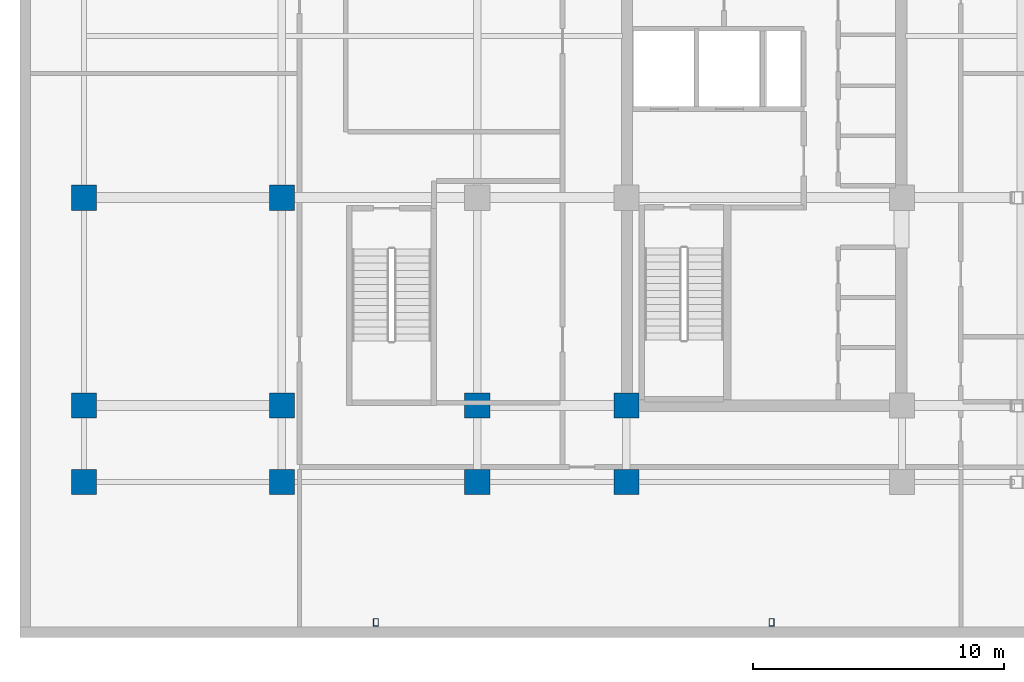
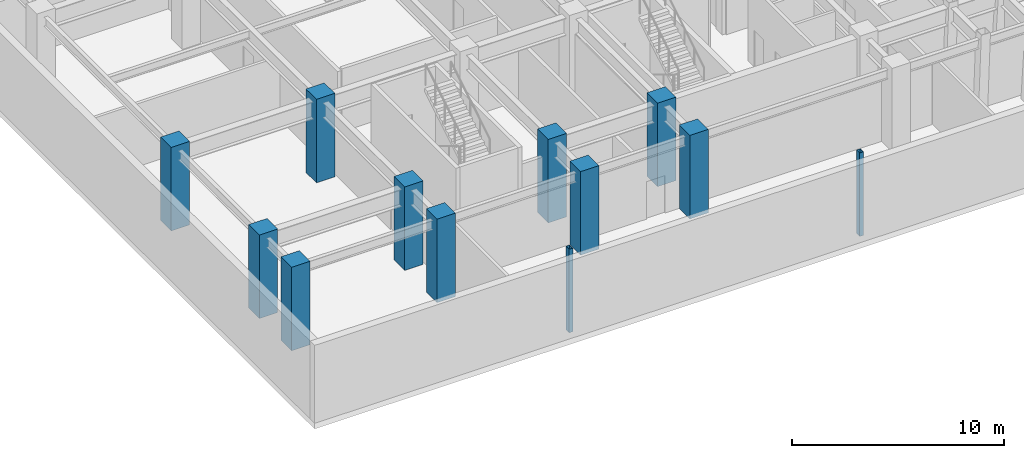
# One storey, part 1 of 9: 12 columns.
"""IFC4 building model written with IfcOpenShell, lengths in metres."""

from ifc_helpers import new_model, si_unit, direction, frame, origin, origin_2d, place, context, subcontext, project, spatial, rectangle, hollow_rectangle, extrude, material, material_profile, profile_set, type_object, element, save


model = new_model("IFC4")

# Units and contexts
model_context = context("Model", 3, precision=1e-05, world=origin(), true_north=direction((0.0, 1.0)))
body_context = subcontext(model_context, "Body", "Model", "MODEL_VIEW")
ifc_project = project(units=[si_unit("LENGTHUNIT", "METRE"), si_unit("AREAUNIT", "SQUARE_METRE"), si_unit("VOLUMEUNIT", "CUBIC_METRE"), si_unit("PLANEANGLEUNIT", "RADIAN"), si_unit("MASSUNIT", "GRAM", prefix="KILO")], contexts=[model_context])

# Site, building, storey
site_placement = place(None, origin())
site = spatial("IfcSite", under=ifc_project, at=site_placement, CompositionType="ELEMENT")
building_placement = place(site_placement, origin())
building = spatial("IfcBuilding", under=site, at=building_placement, Name="Ochreholt Gables", CompositionType="ELEMENT")
storey_placement = place(building_placement, frame((0.0, 0.0, -4.800048828125)))
storey = spatial("IfcBuildingStorey", under=building, at=storey_placement, Name="B1", CompositionType="ELEMENT", Elevation=-4.800048828125)

# Columns
ifc_material_1 = material(Name="Concrete 60 MPa", Category="concrete")
ifc_material_profile_1 = material_profile(ifc_material_1, rectangle(XDim=1.0, YDim=1.0, at=origin_2d()), Name="RC1000X1000")
ifc_profile_set_1 = profile_set([ifc_material_profile_1], Name="Concrete 60 MPa")
column_type_1 = type_object("IfcColumnType", Name="COL-RC1000-EXT", PredefinedType="COLUMN", material=ifc_profile_set_1)
for number, where, z_axis, x_axis, name in (
    (1, (2.550048828125, 6.199951171875, 0.0), (0.0, 0.0, 1.0), (1.0, 0.0, 0.0), "B1 Column W1Y1"),
    (2, (2.550048828125, 9.25, 0.0), (0.0, 0.0, 1.0), (1.0, 0.0, 0.0), "B1 Column W1Y2"),
    (3, (2.550048828125, 17.550048828125, 0.0), (0.0, 0.0, 1.0), (1.0, 0.0, 0.0), "B1 Column W1Y3"),
    (4, (10.449951171875, 6.199951171875, 0.0), (0.0, 0.0, 1.0), (1.0, 0.0, 0.0), "B1 Column W2Y1"),
    (5, (18.25, 6.199951171875, 0.0), (0.0, 0.0, 1.0), (1.0, 0.0, 0.0), "B1 Column W3Y1"),
    (6, (24.199951171875, 6.199951171875, 0.0), (0.0, 0.0, 1.0), (1.0, 0.0, 0.0), "B1 Column C1Y1"),
):
    element("IfcColumn", number, at=place(storey_placement, frame(where, z_axis=z_axis, x_axis=x_axis)), inside=storey, type_object=column_type_1, Name=name, PredefinedType="COLUMN", context=body_context, shape_type="SweptSolid", body=[
        extrude(rectangle(XDim=1.0, YDim=1.0, at=origin_2d()), origin(), (0.0, 0.0, 1.0), 4.800048828125),
    ])
ifc_material_profile_2 = material_profile(ifc_material_1, rectangle(XDim=1.0, YDim=1.0, at=origin_2d()), Name="RC1000X1000")
ifc_profile_set_2 = profile_set([ifc_material_profile_2], Name="Concrete 60 MPa")
column_type_2 = type_object("IfcColumnType", Name="COL-RC1000-INT", PredefinedType="COLUMN", material=ifc_profile_set_2)
for number, where, z_axis, x_axis, name in (
    (7, (10.449951171875, 9.25, 0.0), (0.0, 0.0, 1.0), (1.0, 0.0, 0.0), "B1 Column W2Y2"),
    (8, (10.449951171875, 17.550048828125, 0.0), (0.0, 0.0, 1.0), (1.0, 0.0, 0.0), "B1 Column W2Y3"),
    (9, (18.25, 9.25, 0.0), (0.0, 0.0, 1.0), (1.0, 0.0, 0.0), "B1 Column W3Y2"),
    (10, (24.199951171875, 9.25, 0.0), (0.0, 0.0, 1.0), (1.0, 0.0, 0.0), "B1 Column C1Y2"),
):
    element("IfcColumn", number, at=place(storey_placement, frame(where, z_axis=z_axis, x_axis=x_axis)), inside=storey, type_object=column_type_2, Name=name, PredefinedType="COLUMN", context=body_context, shape_type="SweptSolid", body=[
        extrude(rectangle(XDim=1.0, YDim=1.0, at=origin_2d()), origin(), (0.0, 0.0, 1.0), 4.800048828125),
    ])
ifc_material_2 = material(Name="Steel CSA G40.21 350W", Category="steel")
ifc_material_profile_3 = material_profile(ifc_material_2, hollow_rectangle(XDim=0.202880859375, YDim=0.304931640625, WallThickness=0.0126953125, at=origin_2d()), Name="HSS305X203X13")
ifc_profile_set_3 = profile_set([ifc_material_profile_3], Name="Steel CSA G40.21 350W")
column_type_3 = type_object("IfcColumnType", Name="PIL-HSS305-EXT", PredefinedType="PILASTER", material=ifc_profile_set_3)
for number, where, z_axis, x_axis, name in (
    (11, (14.199951171875, 0.60009765625, 0.0), (0.0, 0.0, 1.0), (1.0, 0.0, 0.0), "B1 Engaged Pilaster PL1"),
    (12, (30.0, 0.60009765625, 0.0), (0.0, 0.0, 1.0), (1.0, 0.0, 0.0), "B1 Engaged Pilaster PL2"),
):
    element("IfcColumn", number, at=place(storey_placement, frame(where, z_axis=z_axis, x_axis=x_axis)), inside=storey, type_object=column_type_3, Name=name, PredefinedType="PILASTER", context=body_context, shape_type="SweptSolid", body=[
        extrude(hollow_rectangle(XDim=0.202880859375, YDim=0.304931640625, WallThickness=0.0126953125, at=origin_2d()), origin(), (0.0, 0.0, 1.0), 4.800048828125),
    ])

save(model, "model.ifc")
